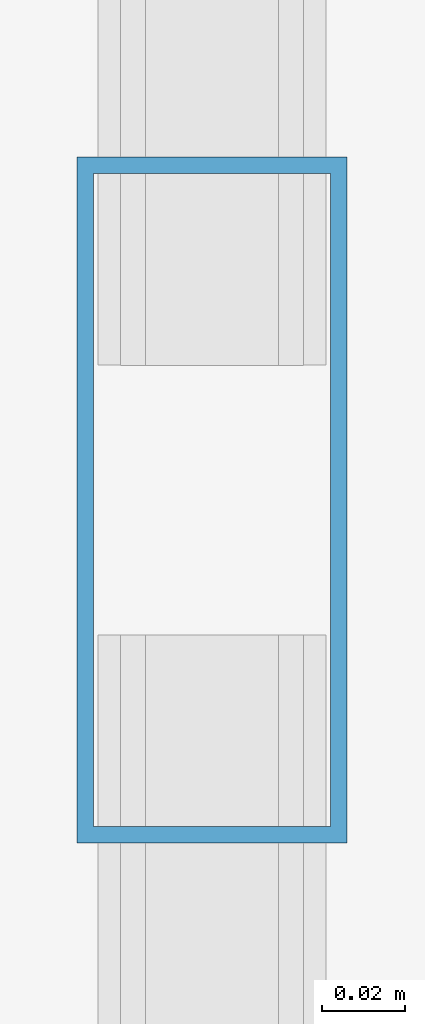
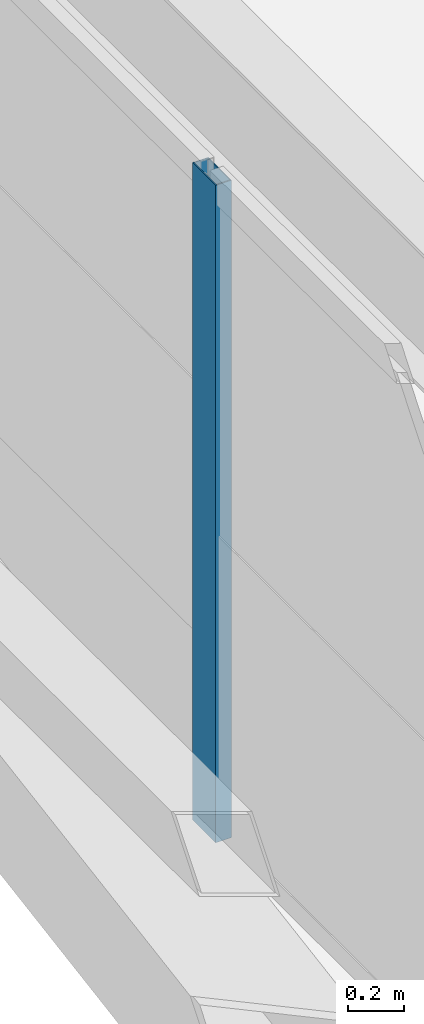
# One storey, part 11 of 45: 1 member, 1 element without a shape of its own.
"""IFC4 building model written with IfcOpenShell, lengths in metres."""

from ifc_helpers import new_model, si_unit, direction, frame, origin, origin_2d, place, context, subcontext, project, spatial, hollow_rectangle, extrude, source, transform, mapped, material, layer, layer_set, material_profile, profile_set, type_object, element, aggregate, save


model = new_model("IFC4")

# Units and contexts
model_context = context("Model", 3, precision=1e-05, world=origin(), true_north=direction((0.0, 1.0)))
body_context = subcontext(model_context, "Body", "Model", "MODEL_VIEW")
ifc_project = project(units=[si_unit("LENGTHUNIT", "METRE"), si_unit("AREAUNIT", "SQUARE_METRE"), si_unit("VOLUMEUNIT", "CUBIC_METRE"), si_unit("PLANEANGLEUNIT", "RADIAN"), si_unit("MASSUNIT", "GRAM", prefix="KILO")], contexts=[model_context])

# Site, building, storey
site_placement = place(None, origin())
site = spatial("IfcSite", under=ifc_project, at=site_placement, CompositionType="ELEMENT")
building_placement = place(site_placement, origin())
building = spatial("IfcBuilding", under=site, at=building_placement, Name="Taldren Reach Tower", CompositionType="ELEMENT")
storey_placement = place(building_placement, frame((0.0, 0.0, 57.75)))
storey = spatial("IfcBuildingStorey", under=building, at=storey_placement, Name="L17", CompositionType="ELEMENT", Elevation=57.75)

# Curtain wall, member
ifc_material_1 = material(Name="Aluminium and Low-E Glass Unitised System", Category="aluminium")
ifc_layer = layer(ifc_material_1, 0.159912109375)
ifc_layer_set = layer_set([ifc_layer], Name="Aluminium and Low-E Glass Unitised System")
curtain_wall_type = type_object("IfcCurtainWallType", Name="CW-SYS-2", PredefinedType="NOTDEFINED", material=ifc_layer_set)
curtain_wall_placement = place(storey_placement, origin())
curtain_wall = element("IfcCurtainWall", 1, at=curtain_wall_placement, inside=storey, type_object=curtain_wall_type, Name="Unitised curtain wall CW-L17-W", PredefinedType="NOTDEFINED")
ifc_material_2 = material(Name="Anodised Aluminium 6063-T6", Category="aluminium")
ifc_material_profile = material_profile(ifc_material_2, hollow_rectangle(XDim=0.06494140625, YDim=0.1650390625, WallThickness=0.00390625, at=origin_2d()), Name="ALU-165x65x4RHS")
ifc_profile_set = profile_set([ifc_material_profile], Name="Anodised Aluminium 6063-T6")
member_type = type_object("IfcMemberType", Name="CW-MUL-165", PredefinedType="MULLION", material=ifc_profile_set)
shared_shape = source(origin(), body_context, "Body", "SweptSolid", [
    extrude(hollow_rectangle(XDim=0.06494140625, YDim=0.1650390625, WallThickness=0.00390625, at=origin_2d()), origin(), (0.0, 0.0, 1.0), 2.8701171875),
])
member_placement = place(storey_placement, frame((5.139892578125, 25.166748046875, 0.0), z_axis=(0.0, 0.0, 1.0), x_axis=(1.0, 0.0, 0.0)))
member = element("IfcMember", 2, at=member_placement, type_object=member_type, Name="CW-2 mullion 2", PredefinedType="MULLION", context=body_context, shape_type="MappedRepresentation", body=[
    mapped(shared_shape, transform((0.0, 0.0, 0.0), scale=1.0)),
])
aggregate(curtain_wall, [member])

save(model, "model.ifc")
